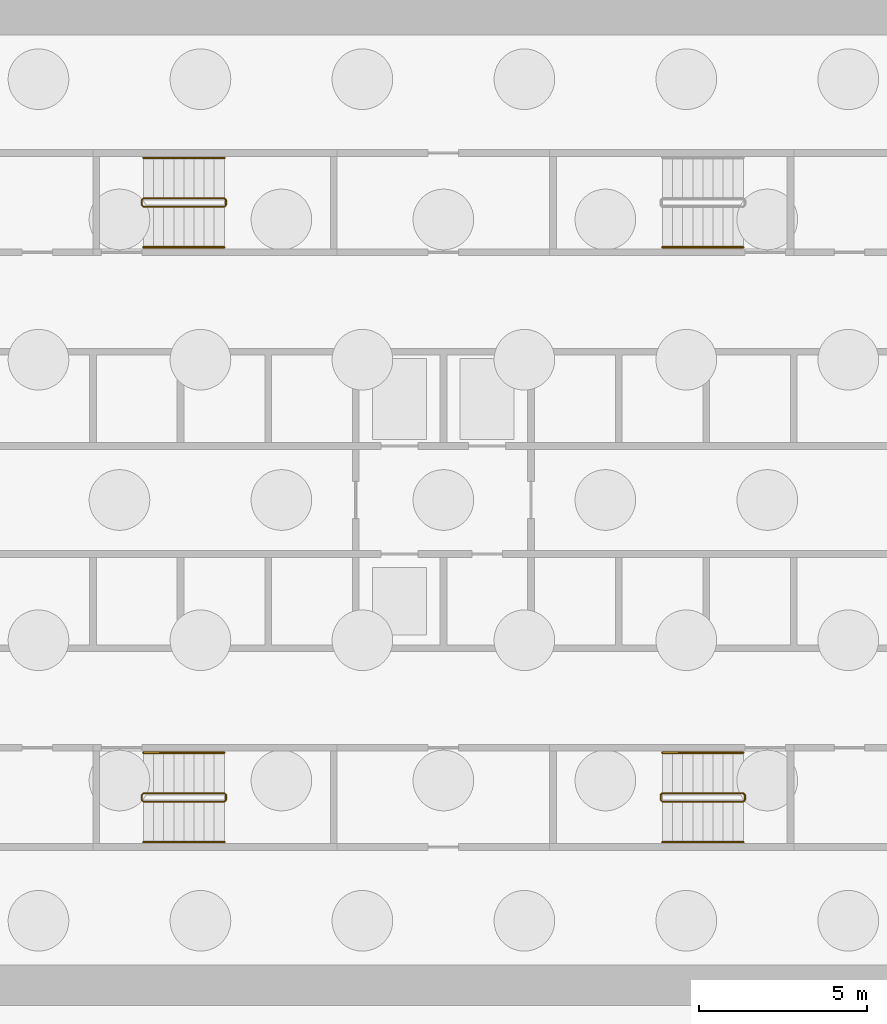
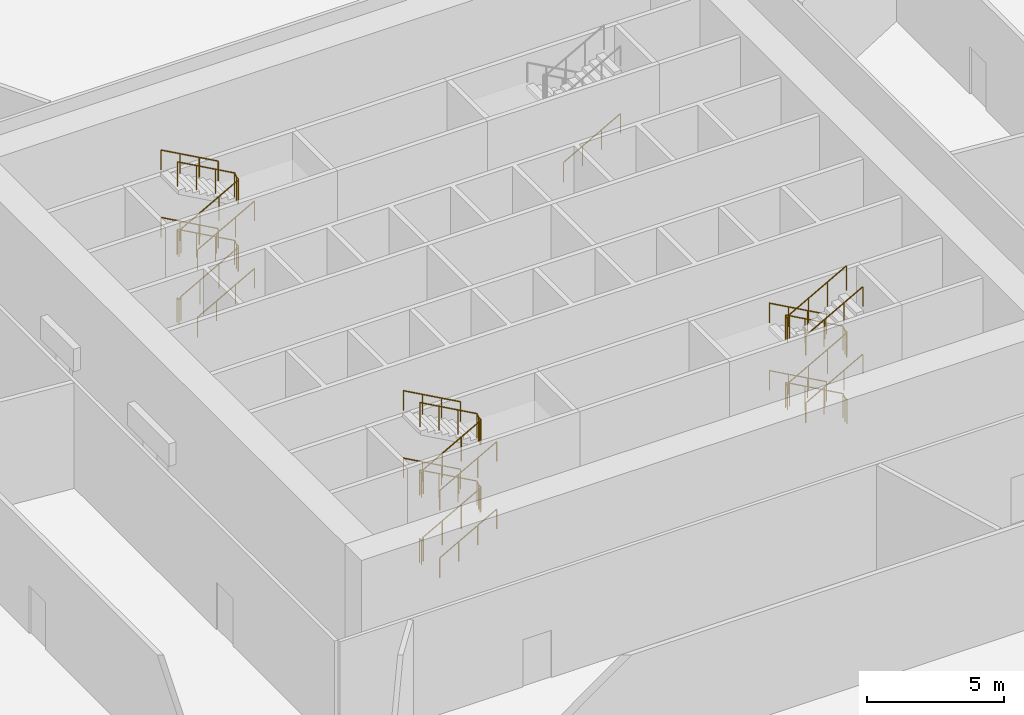
# One storey, part 10 of 12: 16 railings.
"""IFC4 building model written with IfcOpenShell, lengths in metres."""

from ifc_helpers import new_model, si_unit, direction, frame, origin, origin_2d, place, context, subcontext, project, spatial, circle, extrude, material, type_object, element, save


model = new_model("IFC4")

# Units and contexts
model_context = context("Model", 3, precision=1e-05, world=origin(), true_north=direction((0.0, 1.0)))
body_context = subcontext(model_context, "Body", "Model", "MODEL_VIEW")
ifc_project = project(units=[si_unit("LENGTHUNIT", "METRE"), si_unit("AREAUNIT", "SQUARE_METRE"), si_unit("VOLUMEUNIT", "CUBIC_METRE"), si_unit("PLANEANGLEUNIT", "RADIAN"), si_unit("MASSUNIT", "GRAM", prefix="KILO")], contexts=[model_context])

# Site, building, storey
site_placement = place(None, origin())
site = spatial("IfcSite", under=ifc_project, at=site_placement, CompositionType="ELEMENT")
building_placement = place(site_placement, origin())
building = spatial("IfcBuilding", under=site, at=building_placement, Name="Corvane Civic Tower", CompositionType="ELEMENT")
storey_placement = place(building_placement, frame((0.0, 0.0, -6.0)))
storey = spatial("IfcBuildingStorey", under=building, at=storey_placement, Name="B1", CompositionType="ELEMENT", Elevation=-6.0)

# Railings
ifc_material_1 = material(Name="Steel ASTM A572 Gr 50", Category="steel")
railing_type_1 = type_object("IfcRailingType", Name="ST-GUARD-1100", PredefinedType="GUARDRAIL", material=ifc_material_1)
railing_1_placement = place(storey_placement, frame((8.949951171875, -8.89990234375, 0.0)))
element("IfcRailing", 1, at=railing_1_placement, inside=storey, type_object=railing_type_1, Name="B1 ST2 stair guard 1", PredefinedType="GUARDRAIL", context=body_context, shape_type="SweptSolid", body=[
    extrude(circle(Radius=0.02392578125, at=origin_2d()), frame((0.0, 0.0, 1.076171875), z_axis=(0.0, 1.0, 0.0), x_axis=(-1.0, 0.0, 0.0)), (0.0, 0.0, 1.0), 0.14990234375),
    extrude(circle(Radius=0.02392578125, at=origin_2d()), frame((0.0, 0.14990234375, 1.076171875), z_axis=(-0.27628659633, 0.27628659633, 0.920506074601), x_axis=(-0.707106781187, -0.707106781187, 0.0)), (0.0, 0.0, 1.0), 0.18115234375),
    extrude(circle(Radius=0.02392578125, at=origin_2d()), frame((-0.050048828125, 0.199951171875, 1.24267578125), z_axis=(-0.874161470802, 0.0, 0.485635380677), x_axis=(0.0, -1.0, 0.0)), (0.0, 0.0, 1.0), 2.745361328125),
    extrude(circle(Radius=0.02392578125, at=origin_2d()), frame((-2.449951171875, 0.199951171875, 2.576171875), z_axis=(-0.707106781187, -0.707106781187, 0.0), x_axis=(0.707106781187, -0.707106781187, 0.0)), (0.0, 0.0, 1.0), 0.07080078125),
    extrude(circle(Radius=0.02392578125, at=origin_2d()), frame((-2.5, 0.14990234375, 2.576171875), z_axis=(0.0, -1.0, 0.0), x_axis=(1.0, 0.0, 0.0)), (0.0, 0.0, 1.0), 0.14990234375),
    extrude(circle(Radius=0.02392578125, at=origin_2d()), frame((-2.5, 0.0, 2.576171875), z_axis=(0.27628659633, -0.27628659633, 0.920506074601), x_axis=(0.707106781187, 0.707106781187, 0.0)), (0.0, 0.0, 1.0), 0.18115234375),
    extrude(circle(Radius=0.02392578125, at=origin_2d()), frame((-2.449951171875, -0.050048828125, 2.74267578125), z_axis=(0.874161470802, 0.0, 0.485635380677), x_axis=(0.0, 1.0, 0.0)), (0.0, 0.0, 1.0), 2.745361328125),
    extrude(circle(Radius=0.02392578125, at=origin_2d()), frame((-0.050048828125, -0.050048828125, 4.076171875), z_axis=(0.707106781187, 0.707106781187, 0.0), x_axis=(-0.707106781187, 0.707106781187, 0.0)), (0.0, 0.0, 1.0), 0.07080078125),
    extrude(circle(Radius=0.02392578125, at=origin_2d()), frame((0.0, 0.0, 4.076171875), z_axis=(0.0, 1.0, 0.0), x_axis=(-1.0, 0.0, 0.0)), (0.0, 0.0, 1.0), 0.14990234375),
    extrude(circle(Radius=0.02392578125, at=origin_2d()), frame((0.0, 0.14990234375, 4.076171875), z_axis=(-0.27628659633, 0.27628659633, 0.920506074601), x_axis=(-0.707106781187, -0.707106781187, 0.0)), (0.0, 0.0, 1.0), 0.18115234375),
    extrude(circle(Radius=0.02392578125, at=origin_2d()), frame((-0.050048828125, 0.199951171875, 4.24267578125), z_axis=(-0.874161470802, 0.0, 0.485635380677), x_axis=(0.0, -1.0, 0.0)), (0.0, 0.0, 1.0), 2.745361328125),
    extrude(circle(Radius=0.02392578125, at=origin_2d()), frame((-2.449951171875, 0.199951171875, 5.576171875), z_axis=(-0.707106781187, -0.707106781187, 0.0), x_axis=(0.707106781187, -0.707106781187, 0.0)), (0.0, 0.0, 1.0), 0.07080078125),
    extrude(circle(Radius=0.02392578125, at=origin_2d()), frame((-2.5, 0.14990234375, 5.576171875), z_axis=(0.0, -1.0, 0.0), x_axis=(1.0, 0.0, 0.0)), (0.0, 0.0, 1.0), 0.14990234375),
    extrude(circle(Radius=0.02392578125, at=origin_2d()), frame((-2.5, 0.0, 5.576171875), z_axis=(0.27628659633, -0.27628659633, 0.920506074601), x_axis=(0.707106781187, 0.707106781187, 0.0)), (0.0, 0.0, 1.0), 0.18115234375),
    extrude(circle(Radius=0.02392578125, at=origin_2d()), frame((-2.449951171875, -0.050048828125, 5.74267578125), z_axis=(0.874161470802, 0.0, 0.485635380677), x_axis=(0.0, 1.0, 0.0)), (0.0, 0.0, 1.0), 2.745361328125),
    extrude(circle(Radius=0.02099609375, at=origin_2d()), origin(), (0.0, 0.0, 1.0), 1.052001953125),
    extrude(circle(Radius=0.02099609375, at=origin_2d()), frame((0.0, 0.14990234375, 0.0)), (0.0, 0.0, 1.0), 1.052001953125),
    extrude(circle(Radius=0.02099609375, at=origin_2d()), frame((-0.050048828125, 0.199951171875, 0.166748046875)), (0.0, 0.0, 1.0), 1.052001953125),
    extrude(circle(Radius=0.02099609375, at=origin_2d()), frame((-0.85009765625, 0.199951171875, 0.611083984375)), (0.0, 0.0, 1.0), 1.052001953125),
    extrude(circle(Radius=0.02099609375, at=origin_2d()), frame((-1.64990234375, 0.199951171875, 1.0556640625)), (0.0, 0.0, 1.0), 1.052001953125),
    extrude(circle(Radius=0.02099609375, at=origin_2d()), frame((-2.449951171875, 0.199951171875, 1.5)), (0.0, 0.0, 1.0), 1.052001953125),
    extrude(circle(Radius=0.02099609375, at=origin_2d()), frame((-2.5, 0.14990234375, 1.5)), (0.0, 0.0, 1.0), 1.052001953125),
    extrude(circle(Radius=0.02099609375, at=origin_2d()), frame((-2.5, 0.0, 1.5)), (0.0, 0.0, 1.0), 1.052001953125),
    extrude(circle(Radius=0.02099609375, at=origin_2d()), frame((-2.449951171875, -0.050048828125, 1.666748046875)), (0.0, 0.0, 1.0), 1.052001953125),
    extrude(circle(Radius=0.02099609375, at=origin_2d()), frame((-1.64990234375, -0.050048828125, 2.111083984375)), (0.0, 0.0, 1.0), 1.052001953125),
    extrude(circle(Radius=0.02099609375, at=origin_2d()), frame((-0.85009765625, -0.050048828125, 2.5556640625)), (0.0, 0.0, 1.0), 1.052001953125),
    extrude(circle(Radius=0.02099609375, at=origin_2d()), frame((-0.050048828125, -0.050048828125, 3.0)), (0.0, 0.0, 1.0), 1.052001953125),
    extrude(circle(Radius=0.02099609375, at=origin_2d()), frame((0.0, 0.0, 3.0)), (0.0, 0.0, 1.0), 1.052001953125),
    extrude(circle(Radius=0.02099609375, at=origin_2d()), frame((0.0, 0.14990234375, 3.0)), (0.0, 0.0, 1.0), 1.052001953125),
    extrude(circle(Radius=0.02099609375, at=origin_2d()), frame((-0.050048828125, 0.199951171875, 3.166748046875)), (0.0, 0.0, 1.0), 1.052001953125),
    extrude(circle(Radius=0.02099609375, at=origin_2d()), frame((-0.85009765625, 0.199951171875, 3.611083984375)), (0.0, 0.0, 1.0), 1.052001953125),
    extrude(circle(Radius=0.02099609375, at=origin_2d()), frame((-1.64990234375, 0.199951171875, 4.0556640625)), (0.0, 0.0, 1.0), 1.052001953125),
    extrude(circle(Radius=0.02099609375, at=origin_2d()), frame((-2.449951171875, 0.199951171875, 4.5)), (0.0, 0.0, 1.0), 1.052001953125),
    extrude(circle(Radius=0.02099609375, at=origin_2d()), frame((-2.5, 0.14990234375, 4.5)), (0.0, 0.0, 1.0), 1.052001953125),
    extrude(circle(Radius=0.02099609375, at=origin_2d()), frame((-2.5, 0.0, 4.5)), (0.0, 0.0, 1.0), 1.052001953125),
    extrude(circle(Radius=0.02099609375, at=origin_2d()), frame((-2.449951171875, -0.050048828125, 4.666748046875)), (0.0, 0.0, 1.0), 1.052001953125),
    extrude(circle(Radius=0.02099609375, at=origin_2d()), frame((-1.64990234375, -0.050048828125, 5.111083984375)), (0.0, 0.0, 1.0), 1.052001953125),
    extrude(circle(Radius=0.02099609375, at=origin_2d()), frame((-0.85009765625, -0.050048828125, 5.5556640625)), (0.0, 0.0, 1.0), 1.052001953125),
    extrude(circle(Radius=0.02099609375, at=origin_2d()), frame((-0.050048828125, -0.050048828125, 6.0)), (0.0, 0.0, 1.0), 1.052001953125),
])
railing_2_placement = place(storey_placement, frame((-8.949951171875, -8.75, 0.0)))
element("IfcRailing", 2, at=railing_2_placement, inside=storey, type_object=railing_type_1, Name="B1 ST3 stair guard 1", PredefinedType="GUARDRAIL", context=body_context, shape_type="SweptSolid", body=[
    extrude(circle(Radius=0.02392578125, at=origin_2d()), frame((0.0, 0.0, 1.076171875), z_axis=(0.0, -1.0, 0.0), x_axis=(1.0, 0.0, 0.0)), (0.0, 0.0, 1.0), 0.14990234375),
    extrude(circle(Radius=0.02392578125, at=origin_2d()), frame((0.0, -0.14990234375, 1.076171875), z_axis=(0.27628659633, -0.27628659633, 0.920506074601), x_axis=(0.707106781187, 0.707106781187, 0.0)), (0.0, 0.0, 1.0), 0.18115234375),
    extrude(circle(Radius=0.02392578125, at=origin_2d()), frame((0.050048828125, -0.199951171875, 1.24267578125), z_axis=(0.874161470802, 0.0, 0.485635380677), x_axis=(0.0, 1.0, 0.0)), (0.0, 0.0, 1.0), 2.745361328125),
    extrude(circle(Radius=0.02392578125, at=origin_2d()), frame((2.449951171875, -0.199951171875, 2.576171875), z_axis=(0.707106781187, 0.707106781187, 0.0), x_axis=(-0.707106781187, 0.707106781187, 0.0)), (0.0, 0.0, 1.0), 0.07080078125),
    extrude(circle(Radius=0.02392578125, at=origin_2d()), frame((2.5, -0.14990234375, 2.576171875), z_axis=(0.0, 1.0, 0.0), x_axis=(-1.0, 0.0, 0.0)), (0.0, 0.0, 1.0), 0.14990234375),
    extrude(circle(Radius=0.02392578125, at=origin_2d()), frame((2.5, 0.0, 2.576171875), z_axis=(-0.27628659633, 0.27628659633, 0.920506074601), x_axis=(-0.707106781187, -0.707106781187, 0.0)), (0.0, 0.0, 1.0), 0.18115234375),
    extrude(circle(Radius=0.02392578125, at=origin_2d()), frame((2.449951171875, 0.050048828125, 2.74267578125), z_axis=(-0.874161470802, 0.0, 0.485635380677), x_axis=(0.0, -1.0, 0.0)), (0.0, 0.0, 1.0), 2.745361328125),
    extrude(circle(Radius=0.02392578125, at=origin_2d()), frame((0.050048828125, 0.050048828125, 4.076171875), z_axis=(-0.707106781187, -0.707106781187, 0.0), x_axis=(0.707106781187, -0.707106781187, 0.0)), (0.0, 0.0, 1.0), 0.07080078125),
    extrude(circle(Radius=0.02392578125, at=origin_2d()), frame((0.0, 0.0, 4.076171875), z_axis=(0.0, -1.0, 0.0), x_axis=(1.0, 0.0, 0.0)), (0.0, 0.0, 1.0), 0.14990234375),
    extrude(circle(Radius=0.02392578125, at=origin_2d()), frame((0.0, -0.14990234375, 4.076171875), z_axis=(0.27628659633, -0.27628659633, 0.920506074601), x_axis=(0.707106781187, 0.707106781187, 0.0)), (0.0, 0.0, 1.0), 0.18115234375),
    extrude(circle(Radius=0.02392578125, at=origin_2d()), frame((0.050048828125, -0.199951171875, 4.24267578125), z_axis=(0.874161470802, 0.0, 0.485635380677), x_axis=(0.0, 1.0, 0.0)), (0.0, 0.0, 1.0), 2.745361328125),
    extrude(circle(Radius=0.02392578125, at=origin_2d()), frame((2.449951171875, -0.199951171875, 5.576171875), z_axis=(0.707106781187, 0.707106781187, 0.0), x_axis=(-0.707106781187, 0.707106781187, 0.0)), (0.0, 0.0, 1.0), 0.07080078125),
    extrude(circle(Radius=0.02392578125, at=origin_2d()), frame((2.5, -0.14990234375, 5.576171875), z_axis=(0.0, 1.0, 0.0), x_axis=(-1.0, 0.0, 0.0)), (0.0, 0.0, 1.0), 0.14990234375),
    extrude(circle(Radius=0.02392578125, at=origin_2d()), frame((2.5, 0.0, 5.576171875), z_axis=(-0.27628659633, 0.27628659633, 0.920506074601), x_axis=(-0.707106781187, -0.707106781187, 0.0)), (0.0, 0.0, 1.0), 0.18115234375),
    extrude(circle(Radius=0.02392578125, at=origin_2d()), frame((2.449951171875, 0.050048828125, 5.74267578125), z_axis=(-0.874161470802, 0.0, 0.485635380677), x_axis=(0.0, -1.0, 0.0)), (0.0, 0.0, 1.0), 2.745361328125),
    extrude(circle(Radius=0.02099609375, at=origin_2d()), origin(), (0.0, 0.0, 1.0), 1.052001953125),
    extrude(circle(Radius=0.02099609375, at=origin_2d()), frame((0.0, -0.14990234375, 0.0)), (0.0, 0.0, 1.0), 1.052001953125),
    extrude(circle(Radius=0.02099609375, at=origin_2d()), frame((0.050048828125, -0.199951171875, 0.166748046875)), (0.0, 0.0, 1.0), 1.052001953125),
    extrude(circle(Radius=0.02099609375, at=origin_2d()), frame((0.85009765625, -0.199951171875, 0.611083984375)), (0.0, 0.0, 1.0), 1.052001953125),
    extrude(circle(Radius=0.02099609375, at=origin_2d()), frame((1.64990234375, -0.199951171875, 1.0556640625)), (0.0, 0.0, 1.0), 1.052001953125),
    extrude(circle(Radius=0.02099609375, at=origin_2d()), frame((2.449951171875, -0.199951171875, 1.5)), (0.0, 0.0, 1.0), 1.052001953125),
    extrude(circle(Radius=0.02099609375, at=origin_2d()), frame((2.5, -0.14990234375, 1.5)), (0.0, 0.0, 1.0), 1.052001953125),
    extrude(circle(Radius=0.02099609375, at=origin_2d()), frame((2.5, 0.0, 1.5)), (0.0, 0.0, 1.0), 1.052001953125),
    extrude(circle(Radius=0.02099609375, at=origin_2d()), frame((2.449951171875, 0.050048828125, 1.666748046875)), (0.0, 0.0, 1.0), 1.052001953125),
    extrude(circle(Radius=0.02099609375, at=origin_2d()), frame((1.64990234375, 0.050048828125, 2.111083984375)), (0.0, 0.0, 1.0), 1.052001953125),
    extrude(circle(Radius=0.02099609375, at=origin_2d()), frame((0.85009765625, 0.050048828125, 2.5556640625)), (0.0, 0.0, 1.0), 1.052001953125),
    extrude(circle(Radius=0.02099609375, at=origin_2d()), frame((0.050048828125, 0.050048828125, 3.0)), (0.0, 0.0, 1.0), 1.052001953125),
    extrude(circle(Radius=0.02099609375, at=origin_2d()), frame((0.0, 0.0, 3.0)), (0.0, 0.0, 1.0), 1.052001953125),
    extrude(circle(Radius=0.02099609375, at=origin_2d()), frame((0.0, -0.14990234375, 3.0)), (0.0, 0.0, 1.0), 1.052001953125),
    extrude(circle(Radius=0.02099609375, at=origin_2d()), frame((0.050048828125, -0.199951171875, 3.166748046875)), (0.0, 0.0, 1.0), 1.052001953125),
    extrude(circle(Radius=0.02099609375, at=origin_2d()), frame((0.85009765625, -0.199951171875, 3.611083984375)), (0.0, 0.0, 1.0), 1.052001953125),
    extrude(circle(Radius=0.02099609375, at=origin_2d()), frame((1.64990234375, -0.199951171875, 4.0556640625)), (0.0, 0.0, 1.0), 1.052001953125),
    extrude(circle(Radius=0.02099609375, at=origin_2d()), frame((2.449951171875, -0.199951171875, 4.5)), (0.0, 0.0, 1.0), 1.052001953125),
    extrude(circle(Radius=0.02099609375, at=origin_2d()), frame((2.5, -0.14990234375, 4.5)), (0.0, 0.0, 1.0), 1.052001953125),
    extrude(circle(Radius=0.02099609375, at=origin_2d()), frame((2.5, 0.0, 4.5)), (0.0, 0.0, 1.0), 1.052001953125),
    extrude(circle(Radius=0.02099609375, at=origin_2d()), frame((2.449951171875, 0.050048828125, 4.666748046875)), (0.0, 0.0, 1.0), 1.052001953125),
    extrude(circle(Radius=0.02099609375, at=origin_2d()), frame((1.64990234375, 0.050048828125, 5.111083984375)), (0.0, 0.0, 1.0), 1.052001953125),
    extrude(circle(Radius=0.02099609375, at=origin_2d()), frame((0.85009765625, 0.050048828125, 5.5556640625)), (0.0, 0.0, 1.0), 1.052001953125),
    extrude(circle(Radius=0.02099609375, at=origin_2d()), frame((0.050048828125, 0.050048828125, 6.0)), (0.0, 0.0, 1.0), 1.052001953125),
])
railing_3_placement = place(storey_placement, frame((-8.949951171875, 8.89990234375, 0.0)))
element("IfcRailing", 3, at=railing_3_placement, inside=storey, type_object=railing_type_1, Name="B1 ST4 stair guard 1", PredefinedType="GUARDRAIL", context=body_context, shape_type="SweptSolid", body=[
    extrude(circle(Radius=0.02392578125, at=origin_2d()), frame((0.0, 0.0, 1.076171875), z_axis=(0.0, -1.0, 0.0), x_axis=(1.0, 0.0, 0.0)), (0.0, 0.0, 1.0), 0.14990234375),
    extrude(circle(Radius=0.02392578125, at=origin_2d()), frame((0.0, -0.14990234375, 1.076171875), z_axis=(0.27628659633, -0.27628659633, 0.920506074601), x_axis=(0.707106781187, 0.707106781187, 0.0)), (0.0, 0.0, 1.0), 0.18115234375),
    extrude(circle(Radius=0.02392578125, at=origin_2d()), frame((0.050048828125, -0.199951171875, 1.24267578125), z_axis=(0.874161470802, 0.0, 0.485635380677), x_axis=(0.0, 1.0, 0.0)), (0.0, 0.0, 1.0), 2.745361328125),
    extrude(circle(Radius=0.02392578125, at=origin_2d()), frame((2.449951171875, -0.199951171875, 2.576171875), z_axis=(0.707106781187, 0.707106781187, 0.0), x_axis=(-0.707106781187, 0.707106781187, 0.0)), (0.0, 0.0, 1.0), 0.07080078125),
    extrude(circle(Radius=0.02392578125, at=origin_2d()), frame((2.5, -0.14990234375, 2.576171875), z_axis=(0.0, 1.0, 0.0), x_axis=(-1.0, 0.0, 0.0)), (0.0, 0.0, 1.0), 0.14990234375),
    extrude(circle(Radius=0.02392578125, at=origin_2d()), frame((2.5, 0.0, 2.576171875), z_axis=(-0.27628659633, 0.27628659633, 0.920506074601), x_axis=(-0.707106781187, -0.707106781187, 0.0)), (0.0, 0.0, 1.0), 0.18115234375),
    extrude(circle(Radius=0.02392578125, at=origin_2d()), frame((2.449951171875, 0.050048828125, 2.74267578125), z_axis=(-0.874161470802, 0.0, 0.485635380677), x_axis=(0.0, -1.0, 0.0)), (0.0, 0.0, 1.0), 2.745361328125),
    extrude(circle(Radius=0.02392578125, at=origin_2d()), frame((0.050048828125, 0.050048828125, 4.076171875), z_axis=(-0.707106781187, -0.707106781187, 0.0), x_axis=(0.707106781187, -0.707106781187, 0.0)), (0.0, 0.0, 1.0), 0.07080078125),
    extrude(circle(Radius=0.02392578125, at=origin_2d()), frame((0.0, 0.0, 4.076171875), z_axis=(0.0, -1.0, 0.0), x_axis=(1.0, 0.0, 0.0)), (0.0, 0.0, 1.0), 0.14990234375),
    extrude(circle(Radius=0.02392578125, at=origin_2d()), frame((0.0, -0.14990234375, 4.076171875), z_axis=(0.27628659633, -0.27628659633, 0.920506074601), x_axis=(0.707106781187, 0.707106781187, 0.0)), (0.0, 0.0, 1.0), 0.18115234375),
    extrude(circle(Radius=0.02392578125, at=origin_2d()), frame((0.050048828125, -0.199951171875, 4.24267578125), z_axis=(0.874161470802, 0.0, 0.485635380677), x_axis=(0.0, 1.0, 0.0)), (0.0, 0.0, 1.0), 2.745361328125),
    extrude(circle(Radius=0.02392578125, at=origin_2d()), frame((2.449951171875, -0.199951171875, 5.576171875), z_axis=(0.707106781187, 0.707106781187, 0.0), x_axis=(-0.707106781187, 0.707106781187, 0.0)), (0.0, 0.0, 1.0), 0.07080078125),
    extrude(circle(Radius=0.02392578125, at=origin_2d()), frame((2.5, -0.14990234375, 5.576171875), z_axis=(0.0, 1.0, 0.0), x_axis=(-1.0, 0.0, 0.0)), (0.0, 0.0, 1.0), 0.14990234375),
    extrude(circle(Radius=0.02392578125, at=origin_2d()), frame((2.5, 0.0, 5.576171875), z_axis=(-0.27628659633, 0.27628659633, 0.920506074601), x_axis=(-0.707106781187, -0.707106781187, 0.0)), (0.0, 0.0, 1.0), 0.18115234375),
    extrude(circle(Radius=0.02392578125, at=origin_2d()), frame((2.449951171875, 0.050048828125, 5.74267578125), z_axis=(-0.874161470802, 0.0, 0.485635380677), x_axis=(0.0, -1.0, 0.0)), (0.0, 0.0, 1.0), 2.745361328125),
    extrude(circle(Radius=0.02099609375, at=origin_2d()), origin(), (0.0, 0.0, 1.0), 1.052001953125),
    extrude(circle(Radius=0.02099609375, at=origin_2d()), frame((0.0, -0.14990234375, 0.0)), (0.0, 0.0, 1.0), 1.052001953125),
    extrude(circle(Radius=0.02099609375, at=origin_2d()), frame((0.050048828125, -0.199951171875, 0.166748046875)), (0.0, 0.0, 1.0), 1.052001953125),
    extrude(circle(Radius=0.02099609375, at=origin_2d()), frame((0.85009765625, -0.199951171875, 0.611083984375)), (0.0, 0.0, 1.0), 1.052001953125),
    extrude(circle(Radius=0.02099609375, at=origin_2d()), frame((1.64990234375, -0.199951171875, 1.0556640625)), (0.0, 0.0, 1.0), 1.052001953125),
    extrude(circle(Radius=0.02099609375, at=origin_2d()), frame((2.449951171875, -0.199951171875, 1.5)), (0.0, 0.0, 1.0), 1.052001953125),
    extrude(circle(Radius=0.02099609375, at=origin_2d()), frame((2.5, -0.14990234375, 1.5)), (0.0, 0.0, 1.0), 1.052001953125),
    extrude(circle(Radius=0.02099609375, at=origin_2d()), frame((2.5, 0.0, 1.5)), (0.0, 0.0, 1.0), 1.052001953125),
    extrude(circle(Radius=0.02099609375, at=origin_2d()), frame((2.449951171875, 0.050048828125, 1.666748046875)), (0.0, 0.0, 1.0), 1.052001953125),
    extrude(circle(Radius=0.02099609375, at=origin_2d()), frame((1.64990234375, 0.050048828125, 2.111083984375)), (0.0, 0.0, 1.0), 1.052001953125),
    extrude(circle(Radius=0.02099609375, at=origin_2d()), frame((0.85009765625, 0.050048828125, 2.5556640625)), (0.0, 0.0, 1.0), 1.052001953125),
    extrude(circle(Radius=0.02099609375, at=origin_2d()), frame((0.050048828125, 0.050048828125, 3.0)), (0.0, 0.0, 1.0), 1.052001953125),
    extrude(circle(Radius=0.02099609375, at=origin_2d()), frame((0.0, 0.0, 3.0)), (0.0, 0.0, 1.0), 1.052001953125),
    extrude(circle(Radius=0.02099609375, at=origin_2d()), frame((0.0, -0.14990234375, 3.0)), (0.0, 0.0, 1.0), 1.052001953125),
    extrude(circle(Radius=0.02099609375, at=origin_2d()), frame((0.050048828125, -0.199951171875, 3.166748046875)), (0.0, 0.0, 1.0), 1.052001953125),
    extrude(circle(Radius=0.02099609375, at=origin_2d()), frame((0.85009765625, -0.199951171875, 3.611083984375)), (0.0, 0.0, 1.0), 1.052001953125),
    extrude(circle(Radius=0.02099609375, at=origin_2d()), frame((1.64990234375, -0.199951171875, 4.0556640625)), (0.0, 0.0, 1.0), 1.052001953125),
    extrude(circle(Radius=0.02099609375, at=origin_2d()), frame((2.449951171875, -0.199951171875, 4.5)), (0.0, 0.0, 1.0), 1.052001953125),
    extrude(circle(Radius=0.02099609375, at=origin_2d()), frame((2.5, -0.14990234375, 4.5)), (0.0, 0.0, 1.0), 1.052001953125),
    extrude(circle(Radius=0.02099609375, at=origin_2d()), frame((2.5, 0.0, 4.5)), (0.0, 0.0, 1.0), 1.052001953125),
    extrude(circle(Radius=0.02099609375, at=origin_2d()), frame((2.449951171875, 0.050048828125, 4.666748046875)), (0.0, 0.0, 1.0), 1.052001953125),
    extrude(circle(Radius=0.02099609375, at=origin_2d()), frame((1.64990234375, 0.050048828125, 5.111083984375)), (0.0, 0.0, 1.0), 1.052001953125),
    extrude(circle(Radius=0.02099609375, at=origin_2d()), frame((0.85009765625, 0.050048828125, 5.5556640625)), (0.0, 0.0, 1.0), 1.052001953125),
    extrude(circle(Radius=0.02099609375, at=origin_2d()), frame((0.050048828125, 0.050048828125, 6.0)), (0.0, 0.0, 1.0), 1.052001953125),
])
ifc_material_2 = material(Name="Steel ASTM A572 Gr 50", Category="steel")
railing_type_2 = type_object("IfcRailingType", Name="ST-HANDRAIL-900", PredefinedType="HANDRAIL", material=ifc_material_2)
railing_4_placement = place(storey_placement, frame((6.5, 7.5, 1.666748046875)))
element("IfcRailing", 4, at=railing_4_placement, inside=storey, type_object=railing_type_2, Name="B1 ST1 stair handrail 2", PredefinedType="HANDRAIL", context=body_context, shape_type="SweptSolid", body=[
    extrude(circle(Radius=0.02392578125, at=origin_2d()), frame((0.0, 0.0, 0.8759765625), z_axis=(0.874161470802, 0.0, 0.485635380677), x_axis=(0.0, 1.0, 0.0)), (0.0, 0.0, 1.0), 2.745361328125),
    extrude(circle(Radius=0.02099609375, at=origin_2d()), origin(), (0.0, 0.0, 1.0), 0.851806640625),
    extrude(circle(Radius=0.02099609375, at=origin_2d()), frame((0.800048828125, 0.0, 0.4443359375)), (0.0, 0.0, 1.0), 0.851806640625),
    extrude(circle(Radius=0.02099609375, at=origin_2d()), frame((1.599853515625, 0.0, 0.888916015625)), (0.0, 0.0, 1.0), 0.851806640625),
    extrude(circle(Radius=0.02099609375, at=origin_2d()), frame((2.39990234375, 0.0, 1.333251953125)), (0.0, 0.0, 1.0), 0.851806640625),
])
railing_5_placement = place(storey_placement, frame((8.89990234375, -7.5, 0.166748046875)))
element("IfcRailing", 5, at=railing_5_placement, inside=storey, type_object=railing_type_2, Name="B1 ST2 stair handrail 1", PredefinedType="HANDRAIL", context=body_context, shape_type="SweptSolid", body=[
    extrude(circle(Radius=0.02392578125, at=origin_2d()), frame((0.0, 0.0, 0.8759765625), z_axis=(-0.874161470802, 0.0, 0.485635380677), x_axis=(0.0, -1.0, 0.0)), (0.0, 0.0, 1.0), 2.745361328125),
    extrude(circle(Radius=0.02099609375, at=origin_2d()), origin(), (0.0, 0.0, 1.0), 0.851806640625),
    extrude(circle(Radius=0.02099609375, at=origin_2d()), frame((-0.800048828125, 0.0, 0.4443359375)), (0.0, 0.0, 1.0), 0.851806640625),
    extrude(circle(Radius=0.02099609375, at=origin_2d()), frame((-1.599853515625, 0.0, 0.888916015625)), (0.0, 0.0, 1.0), 0.851806640625),
    extrude(circle(Radius=0.02099609375, at=origin_2d()), frame((-2.39990234375, 0.0, 1.333251953125)), (0.0, 0.0, 1.0), 0.851806640625),
])
railing_6_placement = place(storey_placement, frame((6.5, -10.14990234375, 1.666748046875)))
element("IfcRailing", 6, at=railing_6_placement, inside=storey, type_object=railing_type_2, Name="B1 ST2 stair handrail 2", PredefinedType="HANDRAIL", context=body_context, shape_type="SweptSolid", body=[
    extrude(circle(Radius=0.02392578125, at=origin_2d()), frame((0.0, 0.0, 0.8759765625), z_axis=(0.874161470802, 0.0, 0.485635380677), x_axis=(0.0, 1.0, 0.0)), (0.0, 0.0, 1.0), 2.745361328125),
    extrude(circle(Radius=0.02099609375, at=origin_2d()), origin(), (0.0, 0.0, 1.0), 0.851806640625),
    extrude(circle(Radius=0.02099609375, at=origin_2d()), frame((0.800048828125, 0.0, 0.4443359375)), (0.0, 0.0, 1.0), 0.851806640625),
    extrude(circle(Radius=0.02099609375, at=origin_2d()), frame((1.599853515625, 0.0, 0.888916015625)), (0.0, 0.0, 1.0), 0.851806640625),
    extrude(circle(Radius=0.02099609375, at=origin_2d()), frame((2.39990234375, 0.0, 1.333251953125)), (0.0, 0.0, 1.0), 0.851806640625),
])
railing_7_placement = place(storey_placement, frame((8.89990234375, -7.5, 3.166748046875)))
element("IfcRailing", 7, at=railing_7_placement, inside=storey, type_object=railing_type_2, Name="B1 ST2 stair handrail 3", PredefinedType="HANDRAIL", context=body_context, shape_type="SweptSolid", body=[
    extrude(circle(Radius=0.02392578125, at=origin_2d()), frame((0.0, 0.0, 0.8759765625), z_axis=(-0.874161470802, 0.0, 0.485635380677), x_axis=(0.0, -1.0, 0.0)), (0.0, 0.0, 1.0), 2.745361328125),
    extrude(circle(Radius=0.02099609375, at=origin_2d()), origin(), (0.0, 0.0, 1.0), 0.851806640625),
    extrude(circle(Radius=0.02099609375, at=origin_2d()), frame((-0.800048828125, 0.0, 0.4443359375)), (0.0, 0.0, 1.0), 0.851806640625),
    extrude(circle(Radius=0.02099609375, at=origin_2d()), frame((-1.599853515625, 0.0, 0.888916015625)), (0.0, 0.0, 1.0), 0.851806640625),
    extrude(circle(Radius=0.02099609375, at=origin_2d()), frame((-2.39990234375, 0.0, 1.333251953125)), (0.0, 0.0, 1.0), 0.851806640625),
])
for number, where, name in (
    (8, (6.5, -10.14990234375, 4.666748046875), "B1 ST2 stair handrail 4"),
    (9, (-8.89990234375, -10.14990234375, 0.166748046875), "B1 ST3 stair handrail 1"),
):
    element("IfcRailing", number, at=place(storey_placement, frame(where)), inside=storey, type_object=railing_type_2, Name=name, PredefinedType="HANDRAIL", context=body_context, shape_type="SweptSolid", body=[
        extrude(circle(Radius=0.02392578125, at=origin_2d()), frame((0.0, 0.0, 0.8759765625), z_axis=(0.874161470802, 0.0, 0.485635380677), x_axis=(0.0, 1.0, 0.0)), (0.0, 0.0, 1.0), 2.745361328125),
        extrude(circle(Radius=0.02099609375, at=origin_2d()), origin(), (0.0, 0.0, 1.0), 0.851806640625),
        extrude(circle(Radius=0.02099609375, at=origin_2d()), frame((0.800048828125, 0.0, 0.4443359375)), (0.0, 0.0, 1.0), 0.851806640625),
        extrude(circle(Radius=0.02099609375, at=origin_2d()), frame((1.599853515625, 0.0, 0.888916015625)), (0.0, 0.0, 1.0), 0.851806640625),
        extrude(circle(Radius=0.02099609375, at=origin_2d()), frame((2.39990234375, 0.0, 1.333251953125)), (0.0, 0.0, 1.0), 0.851806640625),
    ])
railing_8_placement = place(storey_placement, frame((-6.5, -7.5, 1.666748046875)))
element("IfcRailing", 10, at=railing_8_placement, inside=storey, type_object=railing_type_2, Name="B1 ST3 stair handrail 2", PredefinedType="HANDRAIL", context=body_context, shape_type="SweptSolid", body=[
    extrude(circle(Radius=0.02392578125, at=origin_2d()), frame((0.0, 0.0, 0.8759765625), z_axis=(-0.874161470802, 0.0, 0.485635380677), x_axis=(0.0, -1.0, 0.0)), (0.0, 0.0, 1.0), 2.745361328125),
    extrude(circle(Radius=0.02099609375, at=origin_2d()), origin(), (0.0, 0.0, 1.0), 0.851806640625),
    extrude(circle(Radius=0.02099609375, at=origin_2d()), frame((-0.800048828125, 0.0, 0.4443359375)), (0.0, 0.0, 1.0), 0.851806640625),
    extrude(circle(Radius=0.02099609375, at=origin_2d()), frame((-1.599853515625, 0.0, 0.888916015625)), (0.0, 0.0, 1.0), 0.851806640625),
    extrude(circle(Radius=0.02099609375, at=origin_2d()), frame((-2.39990234375, 0.0, 1.333251953125)), (0.0, 0.0, 1.0), 0.851806640625),
])
railing_9_placement = place(storey_placement, frame((-8.89990234375, -10.14990234375, 3.166748046875)))
element("IfcRailing", 11, at=railing_9_placement, inside=storey, type_object=railing_type_2, Name="B1 ST3 stair handrail 3", PredefinedType="HANDRAIL", context=body_context, shape_type="SweptSolid", body=[
    extrude(circle(Radius=0.02392578125, at=origin_2d()), frame((0.0, 0.0, 0.8759765625), z_axis=(0.874161470802, 0.0, 0.485635380677), x_axis=(0.0, 1.0, 0.0)), (0.0, 0.0, 1.0), 2.745361328125),
    extrude(circle(Radius=0.02099609375, at=origin_2d()), origin(), (0.0, 0.0, 1.0), 0.851806640625),
    extrude(circle(Radius=0.02099609375, at=origin_2d()), frame((0.800048828125, 0.0, 0.4443359375)), (0.0, 0.0, 1.0), 0.851806640625),
    extrude(circle(Radius=0.02099609375, at=origin_2d()), frame((1.599853515625, 0.0, 0.888916015625)), (0.0, 0.0, 1.0), 0.851806640625),
    extrude(circle(Radius=0.02099609375, at=origin_2d()), frame((2.39990234375, 0.0, 1.333251953125)), (0.0, 0.0, 1.0), 0.851806640625),
])
railing_10_placement = place(storey_placement, frame((-6.5, -7.5, 4.666748046875)))
element("IfcRailing", 12, at=railing_10_placement, inside=storey, type_object=railing_type_2, Name="B1 ST3 stair handrail 4", PredefinedType="HANDRAIL", context=body_context, shape_type="SweptSolid", body=[
    extrude(circle(Radius=0.02392578125, at=origin_2d()), frame((0.0, 0.0, 0.8759765625), z_axis=(-0.874161470802, 0.0, 0.485635380677), x_axis=(0.0, -1.0, 0.0)), (0.0, 0.0, 1.0), 2.745361328125),
    extrude(circle(Radius=0.02099609375, at=origin_2d()), origin(), (0.0, 0.0, 1.0), 0.851806640625),
    extrude(circle(Radius=0.02099609375, at=origin_2d()), frame((-0.800048828125, 0.0, 0.4443359375)), (0.0, 0.0, 1.0), 0.851806640625),
    extrude(circle(Radius=0.02099609375, at=origin_2d()), frame((-1.599853515625, 0.0, 0.888916015625)), (0.0, 0.0, 1.0), 0.851806640625),
    extrude(circle(Radius=0.02099609375, at=origin_2d()), frame((-2.39990234375, 0.0, 1.333251953125)), (0.0, 0.0, 1.0), 0.851806640625),
])
railing_11_placement = place(storey_placement, frame((-8.89990234375, 7.5, 0.166748046875)))
element("IfcRailing", 13, at=railing_11_placement, inside=storey, type_object=railing_type_2, Name="B1 ST4 stair handrail 1", PredefinedType="HANDRAIL", context=body_context, shape_type="SweptSolid", body=[
    extrude(circle(Radius=0.02392578125, at=origin_2d()), frame((0.0, 0.0, 0.8759765625), z_axis=(0.874161470802, 0.0, 0.485635380677), x_axis=(0.0, 1.0, 0.0)), (0.0, 0.0, 1.0), 2.745361328125),
    extrude(circle(Radius=0.02099609375, at=origin_2d()), origin(), (0.0, 0.0, 1.0), 0.851806640625),
    extrude(circle(Radius=0.02099609375, at=origin_2d()), frame((0.800048828125, 0.0, 0.4443359375)), (0.0, 0.0, 1.0), 0.851806640625),
    extrude(circle(Radius=0.02099609375, at=origin_2d()), frame((1.599853515625, 0.0, 0.888916015625)), (0.0, 0.0, 1.0), 0.851806640625),
    extrude(circle(Radius=0.02099609375, at=origin_2d()), frame((2.39990234375, 0.0, 1.333251953125)), (0.0, 0.0, 1.0), 0.851806640625),
])
railing_12_placement = place(storey_placement, frame((-6.5, 10.14990234375, 1.666748046875)))
element("IfcRailing", 14, at=railing_12_placement, inside=storey, type_object=railing_type_2, Name="B1 ST4 stair handrail 2", PredefinedType="HANDRAIL", context=body_context, shape_type="SweptSolid", body=[
    extrude(circle(Radius=0.02392578125, at=origin_2d()), frame((0.0, 0.0, 0.8759765625), z_axis=(-0.874161470802, 0.0, 0.485635380677), x_axis=(0.0, -1.0, 0.0)), (0.0, 0.0, 1.0), 2.745361328125),
    extrude(circle(Radius=0.02099609375, at=origin_2d()), origin(), (0.0, 0.0, 1.0), 0.851806640625),
    extrude(circle(Radius=0.02099609375, at=origin_2d()), frame((-0.800048828125, 0.0, 0.4443359375)), (0.0, 0.0, 1.0), 0.851806640625),
    extrude(circle(Radius=0.02099609375, at=origin_2d()), frame((-1.599853515625, 0.0, 0.888916015625)), (0.0, 0.0, 1.0), 0.851806640625),
    extrude(circle(Radius=0.02099609375, at=origin_2d()), frame((-2.39990234375, 0.0, 1.333251953125)), (0.0, 0.0, 1.0), 0.851806640625),
])
railing_13_placement = place(storey_placement, frame((-8.89990234375, 7.5, 3.166748046875)))
element("IfcRailing", 15, at=railing_13_placement, inside=storey, type_object=railing_type_2, Name="B1 ST4 stair handrail 3", PredefinedType="HANDRAIL", context=body_context, shape_type="SweptSolid", body=[
    extrude(circle(Radius=0.02392578125, at=origin_2d()), frame((0.0, 0.0, 0.8759765625), z_axis=(0.874161470802, 0.0, 0.485635380677), x_axis=(0.0, 1.0, 0.0)), (0.0, 0.0, 1.0), 2.745361328125),
    extrude(circle(Radius=0.02099609375, at=origin_2d()), origin(), (0.0, 0.0, 1.0), 0.851806640625),
    extrude(circle(Radius=0.02099609375, at=origin_2d()), frame((0.800048828125, 0.0, 0.4443359375)), (0.0, 0.0, 1.0), 0.851806640625),
    extrude(circle(Radius=0.02099609375, at=origin_2d()), frame((1.599853515625, 0.0, 0.888916015625)), (0.0, 0.0, 1.0), 0.851806640625),
    extrude(circle(Radius=0.02099609375, at=origin_2d()), frame((2.39990234375, 0.0, 1.333251953125)), (0.0, 0.0, 1.0), 0.851806640625),
])
railing_14_placement = place(storey_placement, frame((-6.5, 10.14990234375, 4.666748046875)))
element("IfcRailing", 16, at=railing_14_placement, inside=storey, type_object=railing_type_2, Name="B1 ST4 stair handrail 4", PredefinedType="HANDRAIL", context=body_context, shape_type="SweptSolid", body=[
    extrude(circle(Radius=0.02392578125, at=origin_2d()), frame((0.0, 0.0, 0.8759765625), z_axis=(-0.874161470802, 0.0, 0.485635380677), x_axis=(0.0, -1.0, 0.0)), (0.0, 0.0, 1.0), 2.745361328125),
    extrude(circle(Radius=0.02099609375, at=origin_2d()), origin(), (0.0, 0.0, 1.0), 0.851806640625),
    extrude(circle(Radius=0.02099609375, at=origin_2d()), frame((-0.800048828125, 0.0, 0.4443359375)), (0.0, 0.0, 1.0), 0.851806640625),
    extrude(circle(Radius=0.02099609375, at=origin_2d()), frame((-1.599853515625, 0.0, 0.888916015625)), (0.0, 0.0, 1.0), 0.851806640625),
    extrude(circle(Radius=0.02099609375, at=origin_2d()), frame((-2.39990234375, 0.0, 1.333251953125)), (0.0, 0.0, 1.0), 0.851806640625),
])

save(model, "model.ifc")
